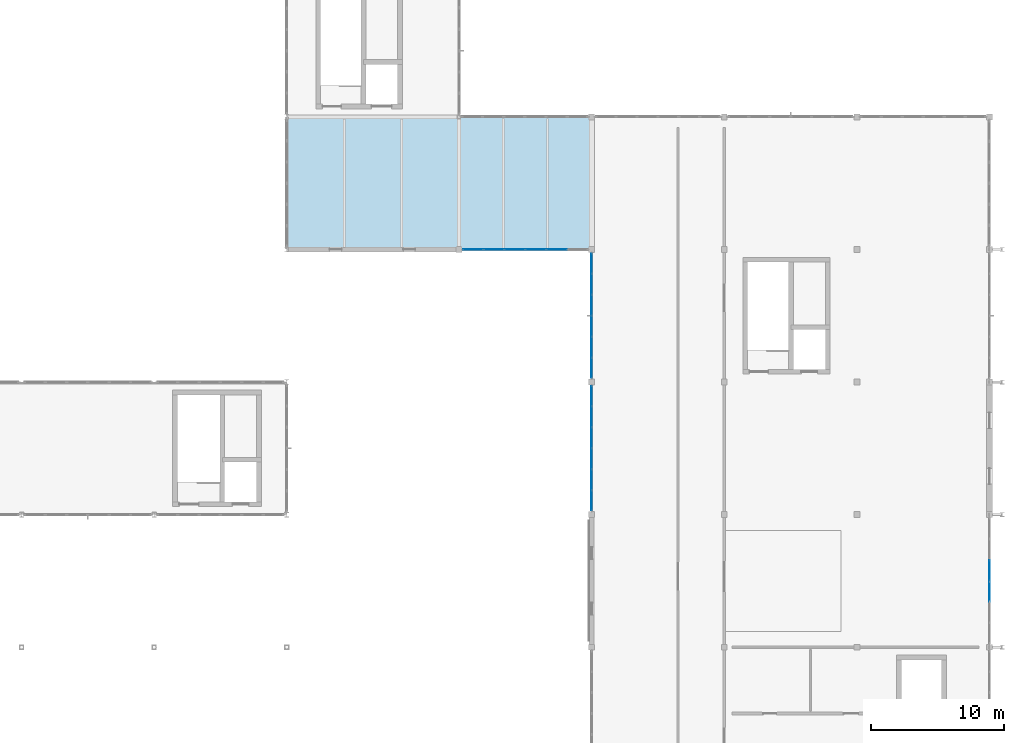
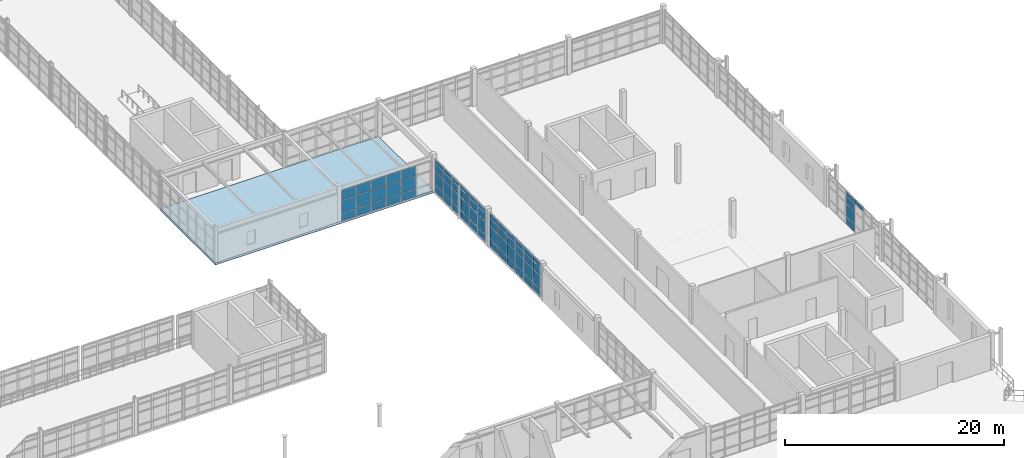
# One storey, part 91 of 122: 68 plates, 1 slab, 4 elements without a shape of their own.
"""IFC4 building model written with IfcOpenShell, lengths in metres."""

import ifcopenshell
import ifcopenshell.guid

model = None  # the IFC model being written
_history = None  # IfcOwnerHistory: only IFC2X3 demands one
_inside = {}  # id of a spatial element -> (the spatial element, [elements in it])
_under = {}  # id of a project, library or spatial element -> (it, [spatial elements below it])
_declared = {}  # id of a project -> (the project, [libraries it declares])
_typed = {}  # id of a type object -> (the type object, [elements of that type])
_made_of = {}  # id of a material, layer set ... -> (it, [elements and type objects made of it])


def new_model(schema):
    """Start an empty IFC model of exactly this schema.

    Asked for "IFC4X3", IfcOpenShell would pick the latest addendum, in which some entities
    have other attributes; the version numbers below select the first issue.
    IFC2X3 requires an IfcOwnerHistory on every rooted entity: one is made here for all.
    """
    global model, _history
    if schema == "IFC4X3":
        model = ifcopenshell.file(schema_version=(4, 3, 0, 0))
    else:
        model = ifcopenshell.file(schema=schema)
    _inside.clear()
    _under.clear()
    _declared.clear()
    _typed.clear()
    _made_of.clear()
    _history = None
    if model.schema == "IFC2X3":
        org = make("IfcOrganization", Name="unknown")
        user = make(
            "IfcPersonAndOrganization",
            ThePerson=make("IfcPerson", FamilyName="unknown"),
            TheOrganization=org,
        )
        app = make(
            "IfcApplication",
            ApplicationDeveloper=org,
            Version="unknown",
            ApplicationFullName="unknown",
            ApplicationIdentifier="unknown",
        )
        _history = make(
            "IfcOwnerHistory",
            OwningUser=user,
            OwningApplication=app,
            ChangeAction="ADDED",
            CreationDate=0,
        )
    return model


def make(cls, **values):
    """One entity of the class cls with the attributes given. An attribute that is None is left unset."""
    return model.create_entity(
        cls, **{name: value for name, value in values.items() if value is not None}
    )


def rooted(cls, **values):
    """An entity with a GlobalId (a new one), such as an element, a storey or a relation."""
    return make(cls, GlobalId=ifcopenshell.guid.new(), OwnerHistory=_history, **values)


def si_unit(unit_type, name, prefix=None):
    """IfcSIUnit, for example si_unit("LENGTHUNIT", "METRE", prefix="MILLI")."""
    return make("IfcSIUnit", UnitType=unit_type, Prefix=prefix, Name=name)


def assignment(units):
    """IfcUnitAssignment: the units of a project."""
    return None if units is None else make("IfcUnitAssignment", Units=units)


def point(xyz):
    """IfcCartesianPoint."""
    return None if xyz is None else make("IfcCartesianPoint", Coordinates=xyz)


def direction(xyz):
    """IfcDirection."""
    return None if xyz is None else make("IfcDirection", DirectionRatios=xyz)


def frame(location, z_axis=None, x_axis=None):
    """IfcAxis2Placement3D, a coordinate frame: its origin and axes. An axis left out is left unset."""
    return make(
        "IfcAxis2Placement3D",
        Location=point(location),
        Axis=direction(z_axis),
        RefDirection=direction(x_axis),
    )


def frame_2d(location, x_axis=None):
    """IfcAxis2Placement2D, a coordinate frame in the plane: its origin and x axis."""
    return make(
        "IfcAxis2Placement2D", Location=point(location), RefDirection=direction(x_axis)
    )


def origin():
    """The frame at (0, 0, 0) with its axes left unset."""
    return frame((0.0, 0.0, 0.0))


def origin_2d():
    """The frame at (0, 0) in the plane with its x axis left unset."""
    return frame_2d((0.0, 0.0))


def place(relative_to, where):
    """IfcLocalPlacement: puts the frame where relative to a parent placement (None: the world)."""
    return make(
        "IfcLocalPlacement", PlacementRelTo=relative_to, RelativePlacement=where
    )


def context(
    kind, dimensions, precision=None, world=None, true_north=None, identifier=None
):
    """IfcGeometricRepresentationContext, for example the 3D "Model" context."""
    return make(
        "IfcGeometricRepresentationContext",
        ContextIdentifier=identifier,
        ContextType=kind,
        CoordinateSpaceDimension=dimensions,
        Precision=precision,
        WorldCoordinateSystem=world,
        TrueNorth=true_north,
    )


def subcontext(parent, identifier, kind, view, scale=None):
    """IfcGeometricRepresentationSubContext, for example "Body" below "Model"."""
    return make(
        "IfcGeometricRepresentationSubContext",
        ContextIdentifier=identifier,
        ContextType=kind,
        ParentContext=parent,
        TargetScale=scale,
        TargetView=view,
    )


def project(units=None, contexts=None):
    """IfcProject with its units and contexts."""
    return rooted(
        "IfcProject",
        Name="project",
        RepresentationContexts=contexts,
        UnitsInContext=assignment(units),
    )


def spatial(cls, under=None, at=None, **own):
    """A site, building, storey or space (cls), placed at a placement, below another one or the project."""
    s = rooted(cls, ObjectPlacement=at, **own)
    if under is not None:
        _under.setdefault(under.id(), (under, []))[1].append(s)
    return s


def polyline(points):
    """IfcPolyline through the points."""
    return make("IfcPolyline", Points=[point(p) for p in points])


def profile(cls, at=None, kind="AREA", **sizes):
    """A parametric profile (cls). Its sizes go by their IFC names, for example OverallWidth=200.0."""
    return make(cls, ProfileType=kind, Position=at, **sizes)


def rectangle(**sizes):
    """IfcRectangleProfileDef."""
    return profile("IfcRectangleProfileDef", **sizes)


def outline(outer, holes=None, kind="AREA"):
    """IfcArbitraryClosedProfileDef: a profile drawn as a closed curve; with holes, ...WithVoids."""
    if holes is None:
        return make("IfcArbitraryClosedProfileDef", ProfileType=kind, OuterCurve=outer)
    return make(
        "IfcArbitraryProfileDefWithVoids",
        ProfileType=kind,
        OuterCurve=outer,
        InnerCurves=holes,
    )


def extrude(swept, where, along, depth):
    """IfcExtrudedAreaSolid: the profile swept, set in the frame where, extruded along a direction by depth."""
    return make(
        "IfcExtrudedAreaSolid",
        SweptArea=swept,
        Position=where,
        ExtrudedDirection=direction(along),
        Depth=depth,
    )


def shape(context_of_items, identifier, shape_type, items):
    """IfcShapeRepresentation: the items that make up one representation, for example the "Body"."""
    return make(
        "IfcShapeRepresentation",
        ContextOfItems=context_of_items,
        RepresentationIdentifier=identifier,
        RepresentationType=shape_type,
        Items=items,
    )


def material(Name=None, Category=None):
    """IfcMaterial."""
    return make("IfcMaterial", Name=Name, Category=Category)


def layer(
    of_material, thickness, ventilated=None, Name=None, Category=None, Priority=None
):
    """IfcMaterialLayer: one layer of a wall or slab, of a material (None: an air gap)."""
    return make(
        "IfcMaterialLayer",
        Material=of_material,
        LayerThickness=thickness,
        IsVentilated=ventilated,
        Name=Name,
        Category=Category,
        Priority=Priority,
    )


def layer_set(layers, Name=None):
    """IfcMaterialLayerSet."""
    return make("IfcMaterialLayerSet", MaterialLayers=layers, LayerSetName=Name)


def made_of(thing, what):
    """Note that an element or type object is made of a material, layer set ...; save() writes the relation."""
    if what is not None:
        _made_of.setdefault(what.id(), (what, []))[1].append(thing)
    return thing


def type_object(cls, material=None, **own):
    """A type object (cls), such as IfcWallType, which elements share."""
    return made_of(rooted(cls, **own), material)


def element(
    cls,
    number,
    at=None,
    inside=None,
    cuts=None,
    type_object=None,
    material=None,
    context=None,
    identifier="Body",
    shape_type=None,
    held_by="IfcProductDefinitionShape",
    body=None,
    shapes=None,
    **own,
):
    """One element of the class cls, such as IfcWall. Its Tag is "e" and its number.

    at: its placement. inside: the storey or other place that contains it. cuts: it is an
    opening in that element (IfcRelVoidsElement). A single representation is given by context,
    identifier, shape_type and body (its items); several are given by shapes. held_by: the class
    of the entity that holds the representations. save() writes the other relations.
    """
    e = rooted(cls, Tag="e%d" % number, ObjectPlacement=at, **own)
    if body is not None:
        shapes = [shape(context, identifier, shape_type, body)]
    if shapes is not None:
        e.Representation = make(held_by, Representations=shapes)
    if inside is not None:
        _inside.setdefault(inside.id(), (inside, []))[1].append(e)
    if cuts is not None:
        rooted(
            "IfcRelVoidsElement", RelatingBuildingElement=cuts, RelatedOpeningElement=e
        )
    if type_object is not None:
        _typed.setdefault(type_object.id(), (type_object, []))[1].append(e)
    return made_of(e, material)


def aggregate(whole, parts):
    """IfcRelAggregates: a whole, such as a stair, and the parts it consists of."""
    return rooted("IfcRelAggregates", RelatingObject=whole, RelatedObjects=parts)


def save(model, path):
    """Write the relations noted so far, then the file.

    IfcRelAggregates (storeys below a building ...), IfcRelContainedInSpatialStructure (elements
    in a storey), IfcRelDefinesByType, IfcRelAssociatesMaterial and IfcRelDeclares: one each for
    every whole, place, type object, material and project.
    """
    for whole, parts in _under.values():
        aggregate(whole, parts)
    for where, things in _inside.values():
        rooted(
            "IfcRelContainedInSpatialStructure",
            RelatedElements=things,
            RelatingStructure=where,
        )
    for kind, things in _typed.values():
        rooted("IfcRelDefinesByType", RelatedObjects=things, RelatingType=kind)
    for what, things in _made_of.values():
        rooted("IfcRelAssociatesMaterial", RelatedObjects=things, RelatingMaterial=what)
    for by, libraries in _declared.values():
        rooted("IfcRelDeclares", RelatingContext=by, RelatedDefinitions=libraries)
    model.write(path)


model = new_model("IFC4")

# Units and contexts
model_context = context("Model", 3, precision=1e-05, world=origin(), true_north=direction((0.0, 1.0)))
body_context = subcontext(model_context, "Body", "Model", "MODEL_VIEW")
ifc_project = project(units=[si_unit("LENGTHUNIT", "METRE"), si_unit("AREAUNIT", "SQUARE_METRE"), si_unit("VOLUMEUNIT", "CUBIC_METRE"), si_unit("PLANEANGLEUNIT", "RADIAN"), si_unit("MASSUNIT", "GRAM", prefix="KILO"), si_unit("THERMODYNAMICTEMPERATUREUNIT", "KELVIN"), si_unit("POWERUNIT", "WATT")], contexts=[model_context])

# Site, building, storey
site_placement = place(None, origin())
site = spatial("IfcSite", under=ifc_project, at=site_placement, CompositionType="ELEMENT")
building_placement = place(site_placement, origin())
building = spatial("IfcBuilding", under=site, at=building_placement, Name="Korenveer Ferry Terminal", CompositionType="ELEMENT")
storey_placement = place(building_placement, frame((0.0, 0.0, 10.199951171875)))
storey = spatial("IfcBuildingStorey", under=building, at=storey_placement, Name="L02", CompositionType="ELEMENT", Elevation=10.199951171875)

# Curtain wall, plates
ifc_material_1 = material(Name="Unitised bronze-and-glass curtain wall", Category="glass")
ifc_layer_1 = layer(ifc_material_1, 0.159912109375)
ifc_layer_set_1 = layer_set([ifc_layer_1], Name="Unitised bronze-and-glass curtain wall")
curtain_wall_type_1 = type_object("IfcCurtainWallType", Name="ENV-CW-89", PredefinedType="USERDEFINED", material=ifc_layer_set_1)
curtain_wall_1_placement = place(storey_placement, frame((136.2548828125, 70.0, 0.0)))
curtain_wall_1 = element("IfcCurtainWall", 1, at=curtain_wall_1_placement, inside=storey, type_object=curtain_wall_type_1, Name="Lancet curtain wall CWX-L02-X136-146-Y70-70", ObjectType="UNITISED CURTAIN WALL", PredefinedType="USERDEFINED")
ifc_material_2 = material(Name="Low-iron solar-control double glazing", Category="glass")
ifc_layer_2 = layer(ifc_material_2, 0.028076171875)
ifc_layer_set_2 = layer_set([ifc_layer_2], Name="Low-iron solar-control double glazing")
plate_type = type_object("IfcPlateType", Name="ENV-CWP-GLZ28", PredefinedType="CURTAIN_PANEL", material=ifc_layer_set_2)
plate_1_placement = place(storey_placement, frame((137.060791015625, 70.0, 0.06005859375), z_axis=(0.0, 0.0, 1.0), x_axis=(1.0, 0.0, 0.0)))
plate_1 = element("IfcPlate", 2, at=plate_1_placement, type_object=plate_type, Name="CW-89 panel 1.1", PredefinedType="CURTAIN_PANEL", context=body_context, shape_type="SweptSolid", body=[
    extrude(rectangle(XDim=1.49169921875, YDim=0.028076171875, at=origin_2d()), origin(), (0.0, 0.0, 1.0), 0.81005859375),
])
plate_2_placement = place(storey_placement, frame((137.060791015625, 70.0, 0.93017578125), z_axis=(0.0, 0.0, 1.0), x_axis=(1.0, 0.0, 0.0)))
plate_2 = element("IfcPlate", 3, at=plate_2_placement, type_object=plate_type, Name="CW-89 panel 1.2", PredefinedType="CURTAIN_PANEL", context=body_context, shape_type="SweptSolid", body=[
    extrude(rectangle(XDim=1.49169921875, YDim=0.028076171875, at=origin_2d()), origin(), (0.0, 0.0, 1.0), 1.389892578125),
])
plate_3_placement = place(storey_placement, frame((137.060791015625, 70.0, 2.380126953125), z_axis=(0.0, 0.0, 1.0), x_axis=(1.0, 0.0, 0.0)))
plate_3 = element("IfcPlate", 4, at=plate_3_placement, type_object=plate_type, Name="CW-89 panel 1.3", PredefinedType="CURTAIN_PANEL", context=body_context, shape_type="SweptSolid", body=[
    extrude(rectangle(XDim=1.49169921875, YDim=0.028076171875, at=origin_2d()), origin(), (0.0, 0.0, 1.0), 1.0400390625),
])
plate_4_placement = place(storey_placement, frame((138.62744140625, 70.0, 0.06005859375), z_axis=(0.0, 0.0, 1.0), x_axis=(1.0, 0.0, 0.0)))
plate_4 = element("IfcPlate", 5, at=plate_4_placement, type_object=plate_type, Name="CW-89 panel 2.1", PredefinedType="CURTAIN_PANEL", context=body_context, shape_type="SweptSolid", body=[
    extrude(rectangle(XDim=1.521728515625, YDim=0.028076171875, at=origin_2d()), origin(), (0.0, 0.0, 1.0), 0.81005859375),
])
plate_5_placement = place(storey_placement, frame((138.62744140625, 70.0, 0.93017578125), z_axis=(0.0, 0.0, 1.0), x_axis=(1.0, 0.0, 0.0)))
plate_5 = element("IfcPlate", 6, at=plate_5_placement, type_object=plate_type, Name="CW-89 panel 2.2", PredefinedType="CURTAIN_PANEL", context=body_context, shape_type="SweptSolid", body=[
    extrude(rectangle(XDim=1.521728515625, YDim=0.028076171875, at=origin_2d()), origin(), (0.0, 0.0, 1.0), 1.389892578125),
])
plate_6_placement = place(storey_placement, frame((138.62744140625, 70.0, 2.380126953125), z_axis=(0.0, 0.0, 1.0), x_axis=(1.0, 0.0, 0.0)))
plate_6 = element("IfcPlate", 7, at=plate_6_placement, type_object=plate_type, Name="CW-89 panel 2.3", PredefinedType="CURTAIN_PANEL", context=body_context, shape_type="SweptSolid", body=[
    extrude(rectangle(XDim=1.521728515625, YDim=0.028076171875, at=origin_2d()), origin(), (0.0, 0.0, 1.0), 1.0400390625),
])
plate_7_placement = place(storey_placement, frame((140.209228515625, 70.0, 0.06005859375), z_axis=(0.0, 0.0, 1.0), x_axis=(1.0, 0.0, 0.0)))
plate_7 = element("IfcPlate", 8, at=plate_7_placement, type_object=plate_type, Name="CW-89 panel 3.1", PredefinedType="CURTAIN_PANEL", context=body_context, shape_type="SweptSolid", body=[
    extrude(rectangle(XDim=1.521728515625, YDim=0.028076171875, at=origin_2d()), origin(), (0.0, 0.0, 1.0), 0.81005859375),
])
plate_8_placement = place(storey_placement, frame((140.209228515625, 70.0, 0.93017578125), z_axis=(0.0, 0.0, 1.0), x_axis=(1.0, 0.0, 0.0)))
plate_8 = element("IfcPlate", 9, at=plate_8_placement, type_object=plate_type, Name="CW-89 panel 3.2", PredefinedType="CURTAIN_PANEL", context=body_context, shape_type="SweptSolid", body=[
    extrude(rectangle(XDim=1.521728515625, YDim=0.028076171875, at=origin_2d()), origin(), (0.0, 0.0, 1.0), 1.389892578125),
])
plate_9_placement = place(storey_placement, frame((140.209228515625, 70.0, 2.380126953125), z_axis=(0.0, 0.0, 1.0), x_axis=(1.0, 0.0, 0.0)))
plate_9 = element("IfcPlate", 10, at=plate_9_placement, type_object=plate_type, Name="CW-89 panel 3.3", PredefinedType="CURTAIN_PANEL", context=body_context, shape_type="SweptSolid", body=[
    extrude(rectangle(XDim=1.521728515625, YDim=0.028076171875, at=origin_2d()), origin(), (0.0, 0.0, 1.0), 1.0400390625),
])
plate_10_placement = place(storey_placement, frame((141.790771484375, 70.0, 0.06005859375), z_axis=(0.0, 0.0, 1.0), x_axis=(1.0, 0.0, 0.0)))
plate_10 = element("IfcPlate", 11, at=plate_10_placement, type_object=plate_type, Name="CW-89 panel 4.1", PredefinedType="CURTAIN_PANEL", context=body_context, shape_type="SweptSolid", body=[
    extrude(rectangle(XDim=1.521728515625, YDim=0.028076171875, at=origin_2d()), origin(), (0.0, 0.0, 1.0), 0.81005859375),
])
plate_11_placement = place(storey_placement, frame((141.790771484375, 70.0, 0.93017578125), z_axis=(0.0, 0.0, 1.0), x_axis=(1.0, 0.0, 0.0)))
plate_11 = element("IfcPlate", 12, at=plate_11_placement, type_object=plate_type, Name="CW-89 panel 4.2", PredefinedType="CURTAIN_PANEL", context=body_context, shape_type="SweptSolid", body=[
    extrude(rectangle(XDim=1.521728515625, YDim=0.028076171875, at=origin_2d()), origin(), (0.0, 0.0, 1.0), 1.389892578125),
])
plate_12_placement = place(storey_placement, frame((141.790771484375, 70.0, 2.380126953125), z_axis=(0.0, 0.0, 1.0), x_axis=(1.0, 0.0, 0.0)))
plate_12 = element("IfcPlate", 13, at=plate_12_placement, type_object=plate_type, Name="CW-89 panel 4.3", PredefinedType="CURTAIN_PANEL", context=body_context, shape_type="SweptSolid", body=[
    extrude(rectangle(XDim=1.521728515625, YDim=0.028076171875, at=origin_2d()), origin(), (0.0, 0.0, 1.0), 1.0400390625),
])
plate_13_placement = place(storey_placement, frame((143.37255859375, 70.0, 0.06005859375), z_axis=(0.0, 0.0, 1.0), x_axis=(1.0, 0.0, 0.0)))
plate_13 = element("IfcPlate", 14, at=plate_13_placement, type_object=plate_type, Name="CW-89 panel 5.1", PredefinedType="CURTAIN_PANEL", context=body_context, shape_type="SweptSolid", body=[
    extrude(rectangle(XDim=1.521728515625, YDim=0.028076171875, at=origin_2d()), origin(), (0.0, 0.0, 1.0), 0.81005859375),
])
plate_14_placement = place(storey_placement, frame((143.37255859375, 70.0, 0.93017578125), z_axis=(0.0, 0.0, 1.0), x_axis=(1.0, 0.0, 0.0)))
plate_14 = element("IfcPlate", 15, at=plate_14_placement, type_object=plate_type, Name="CW-89 panel 5.2", PredefinedType="CURTAIN_PANEL", context=body_context, shape_type="SweptSolid", body=[
    extrude(rectangle(XDim=1.521728515625, YDim=0.028076171875, at=origin_2d()), origin(), (0.0, 0.0, 1.0), 1.389892578125),
])
plate_15_placement = place(storey_placement, frame((143.37255859375, 70.0, 2.380126953125), z_axis=(0.0, 0.0, 1.0), x_axis=(1.0, 0.0, 0.0)))
plate_15 = element("IfcPlate", 16, at=plate_15_placement, type_object=plate_type, Name="CW-89 panel 5.3", PredefinedType="CURTAIN_PANEL", context=body_context, shape_type="SweptSolid", body=[
    extrude(rectangle(XDim=1.521728515625, YDim=0.028076171875, at=origin_2d()), origin(), (0.0, 0.0, 1.0), 1.0400390625),
])
aggregate(curtain_wall_1, [plate_1, plate_2, plate_3, plate_4, plate_5, plate_6, plate_7, plate_8, plate_9, plate_10, plate_11, plate_12, plate_13, plate_14, plate_15])

ifc_layer_3 = layer(ifc_material_1, 0.159912109375)
ifc_layer_set_3 = layer_set([ifc_layer_3], Name="Unitised bronze-and-glass curtain wall")
curtain_wall_type_2 = type_object("IfcCurtainWallType", Name="ENV-CW-86", PredefinedType="USERDEFINED", material=ifc_layer_set_3)
curtain_wall_2_placement = place(storey_placement, frame((146.0, 50.2548828125, 0.0)))
curtain_wall_2 = element("IfcCurtainWall", 17, at=curtain_wall_2_placement, inside=storey, type_object=curtain_wall_type_2, Name="Lancet curtain wall CWX-L02-X146-146-Y50-60", ObjectType="UNITISED CURTAIN WALL", PredefinedType="USERDEFINED")
plate_16_placement = place(storey_placement, frame((146.0, 51.060791015625, 0.06005859375), z_axis=(0.0, 0.0, 1.0), x_axis=(0.0, 1.0, 0.0)))
plate_16 = element("IfcPlate", 18, at=plate_16_placement, type_object=plate_type, Name="CW-86 panel 1.1", PredefinedType="CURTAIN_PANEL", context=body_context, shape_type="SweptSolid", body=[
    extrude(rectangle(XDim=1.49169921875, YDim=0.028076171875, at=origin_2d()), origin(), (0.0, 0.0, 1.0), 0.81005859375),
])
plate_17_placement = place(storey_placement, frame((146.0, 51.060791015625, 0.93017578125), z_axis=(0.0, 0.0, 1.0), x_axis=(0.0, 1.0, 0.0)))
plate_17 = element("IfcPlate", 19, at=plate_17_placement, type_object=plate_type, Name="CW-86 panel 1.2", PredefinedType="CURTAIN_PANEL", context=body_context, shape_type="SweptSolid", body=[
    extrude(rectangle(XDim=1.49169921875, YDim=0.028076171875, at=origin_2d()), origin(), (0.0, 0.0, 1.0), 1.389892578125),
])
plate_18_placement = place(storey_placement, frame((146.0, 51.060791015625, 2.3798828125), z_axis=(0.0, 0.0, 1.0), x_axis=(0.0, 1.0, 0.0)))
plate_18 = element("IfcPlate", 20, at=plate_18_placement, type_object=plate_type, Name="CW-86 panel 1.3", PredefinedType="CURTAIN_PANEL", context=body_context, shape_type="SweptSolid", body=[
    extrude(rectangle(XDim=1.49169921875, YDim=0.028076171875, at=origin_2d()), origin(), (0.0, 0.0, 1.0), 0.840087890625),
])
plate_19_placement = place(storey_placement, frame((146.0, 51.060791015625, 3.280029296875), z_axis=(0.0, 0.0, 1.0), x_axis=(0.0, 1.0, 0.0)))
plate_19 = element("IfcPlate", 21, at=plate_19_placement, type_object=plate_type, Name="CW-86 panel 1.4", PredefinedType="CURTAIN_PANEL", context=body_context, shape_type="SweptSolid", body=[
    extrude(rectangle(XDim=1.49169921875, YDim=0.028076171875, at=origin_2d()), origin(), (0.0, 0.0, 1.0), 0.52001953125),
])
plate_20_placement = place(storey_placement, frame((146.0, 52.62744140625, 0.06005859375), z_axis=(0.0, 0.0, 1.0), x_axis=(0.0, 1.0, 0.0)))
plate_20 = element("IfcPlate", 22, at=plate_20_placement, type_object=plate_type, Name="CW-86 panel 2.1", PredefinedType="CURTAIN_PANEL", context=body_context, shape_type="SweptSolid", body=[
    extrude(rectangle(XDim=1.521728515625, YDim=0.028076171875, at=origin_2d()), origin(), (0.0, 0.0, 1.0), 0.81005859375),
])
plate_21_placement = place(storey_placement, frame((146.0, 52.62744140625, 0.93017578125), z_axis=(0.0, 0.0, 1.0), x_axis=(0.0, 1.0, 0.0)))
plate_21 = element("IfcPlate", 23, at=plate_21_placement, type_object=plate_type, Name="CW-86 panel 2.2", PredefinedType="CURTAIN_PANEL", context=body_context, shape_type="SweptSolid", body=[
    extrude(rectangle(XDim=1.521728515625, YDim=0.028076171875, at=origin_2d()), origin(), (0.0, 0.0, 1.0), 1.389892578125),
])
plate_22_placement = place(storey_placement, frame((146.0, 52.62744140625, 2.3798828125), z_axis=(0.0, 0.0, 1.0), x_axis=(0.0, 1.0, 0.0)))
plate_22 = element("IfcPlate", 24, at=plate_22_placement, type_object=plate_type, Name="CW-86 panel 2.3", PredefinedType="CURTAIN_PANEL", context=body_context, shape_type="SweptSolid", body=[
    extrude(rectangle(XDim=1.521728515625, YDim=0.028076171875, at=origin_2d()), origin(), (0.0, 0.0, 1.0), 0.840087890625),
])
plate_23_placement = place(storey_placement, frame((146.0, 52.62744140625, 3.280029296875), z_axis=(0.0, 0.0, 1.0), x_axis=(0.0, 1.0, 0.0)))
plate_23 = element("IfcPlate", 25, at=plate_23_placement, type_object=plate_type, Name="CW-86 panel 2.4", PredefinedType="CURTAIN_PANEL", context=body_context, shape_type="SweptSolid", body=[
    extrude(rectangle(XDim=1.521728515625, YDim=0.028076171875, at=origin_2d()), origin(), (0.0, 0.0, 1.0), 0.52001953125),
])
plate_24_placement = place(storey_placement, frame((146.0, 54.209228515625, 0.06005859375), z_axis=(0.0, 0.0, 1.0), x_axis=(0.0, 1.0, 0.0)))
plate_24 = element("IfcPlate", 26, at=plate_24_placement, type_object=plate_type, Name="CW-86 panel 3.1", PredefinedType="CURTAIN_PANEL", context=body_context, shape_type="SweptSolid", body=[
    extrude(rectangle(XDim=1.521728515625, YDim=0.028076171875, at=origin_2d()), origin(), (0.0, 0.0, 1.0), 0.81005859375),
])
plate_25_placement = place(storey_placement, frame((146.0, 54.209228515625, 0.93017578125), z_axis=(0.0, 0.0, 1.0), x_axis=(0.0, 1.0, 0.0)))
plate_25 = element("IfcPlate", 27, at=plate_25_placement, type_object=plate_type, Name="CW-86 panel 3.2", PredefinedType="CURTAIN_PANEL", context=body_context, shape_type="SweptSolid", body=[
    extrude(rectangle(XDim=1.521728515625, YDim=0.028076171875, at=origin_2d()), origin(), (0.0, 0.0, 1.0), 1.389892578125),
])
plate_26_placement = place(storey_placement, frame((146.0, 54.209228515625, 2.3798828125), z_axis=(0.0, 0.0, 1.0), x_axis=(0.0, 1.0, 0.0)))
plate_26 = element("IfcPlate", 28, at=plate_26_placement, type_object=plate_type, Name="CW-86 panel 3.3", PredefinedType="CURTAIN_PANEL", context=body_context, shape_type="SweptSolid", body=[
    extrude(rectangle(XDim=1.521728515625, YDim=0.028076171875, at=origin_2d()), origin(), (0.0, 0.0, 1.0), 0.840087890625),
])
plate_27_placement = place(storey_placement, frame((146.0, 54.209228515625, 3.280029296875), z_axis=(0.0, 0.0, 1.0), x_axis=(0.0, 1.0, 0.0)))
plate_27 = element("IfcPlate", 29, at=plate_27_placement, type_object=plate_type, Name="CW-86 panel 3.4", PredefinedType="CURTAIN_PANEL", context=body_context, shape_type="SweptSolid", body=[
    extrude(rectangle(XDim=1.521728515625, YDim=0.028076171875, at=origin_2d()), origin(), (0.0, 0.0, 1.0), 0.52001953125),
])
plate_28_placement = place(storey_placement, frame((146.0, 55.790771484375, 0.06005859375), z_axis=(0.0, 0.0, 1.0), x_axis=(0.0, 1.0, 0.0)))
plate_28 = element("IfcPlate", 30, at=plate_28_placement, type_object=plate_type, Name="CW-86 panel 4.1", PredefinedType="CURTAIN_PANEL", context=body_context, shape_type="SweptSolid", body=[
    extrude(rectangle(XDim=1.521728515625, YDim=0.028076171875, at=origin_2d()), origin(), (0.0, 0.0, 1.0), 0.81005859375),
])
plate_29_placement = place(storey_placement, frame((146.0, 55.790771484375, 0.93017578125), z_axis=(0.0, 0.0, 1.0), x_axis=(0.0, 1.0, 0.0)))
plate_29 = element("IfcPlate", 31, at=plate_29_placement, type_object=plate_type, Name="CW-86 panel 4.2", PredefinedType="CURTAIN_PANEL", context=body_context, shape_type="SweptSolid", body=[
    extrude(rectangle(XDim=1.521728515625, YDim=0.028076171875, at=origin_2d()), origin(), (0.0, 0.0, 1.0), 1.389892578125),
])
plate_30_placement = place(storey_placement, frame((146.0, 55.790771484375, 2.3798828125), z_axis=(0.0, 0.0, 1.0), x_axis=(0.0, 1.0, 0.0)))
plate_30 = element("IfcPlate", 32, at=plate_30_placement, type_object=plate_type, Name="CW-86 panel 4.3", PredefinedType="CURTAIN_PANEL", context=body_context, shape_type="SweptSolid", body=[
    extrude(rectangle(XDim=1.521728515625, YDim=0.028076171875, at=origin_2d()), origin(), (0.0, 0.0, 1.0), 0.840087890625),
])
plate_31_placement = place(storey_placement, frame((146.0, 55.790771484375, 3.280029296875), z_axis=(0.0, 0.0, 1.0), x_axis=(0.0, 1.0, 0.0)))
plate_31 = element("IfcPlate", 33, at=plate_31_placement, type_object=plate_type, Name="CW-86 panel 4.4", PredefinedType="CURTAIN_PANEL", context=body_context, shape_type="SweptSolid", body=[
    extrude(rectangle(XDim=1.521728515625, YDim=0.028076171875, at=origin_2d()), origin(), (0.0, 0.0, 1.0), 0.52001953125),
])
plate_32_placement = place(storey_placement, frame((146.0, 57.37255859375, 0.06005859375), z_axis=(0.0, 0.0, 1.0), x_axis=(0.0, 1.0, 0.0)))
plate_32 = element("IfcPlate", 34, at=plate_32_placement, type_object=plate_type, Name="CW-86 panel 5.1", PredefinedType="CURTAIN_PANEL", context=body_context, shape_type="SweptSolid", body=[
    extrude(rectangle(XDim=1.521728515625, YDim=0.028076171875, at=origin_2d()), origin(), (0.0, 0.0, 1.0), 0.81005859375),
])
plate_33_placement = place(storey_placement, frame((146.0, 57.37255859375, 0.93017578125), z_axis=(0.0, 0.0, 1.0), x_axis=(0.0, 1.0, 0.0)))
plate_33 = element("IfcPlate", 35, at=plate_33_placement, type_object=plate_type, Name="CW-86 panel 5.2", PredefinedType="CURTAIN_PANEL", context=body_context, shape_type="SweptSolid", body=[
    extrude(rectangle(XDim=1.521728515625, YDim=0.028076171875, at=origin_2d()), origin(), (0.0, 0.0, 1.0), 1.389892578125),
])
plate_34_placement = place(storey_placement, frame((146.0, 57.37255859375, 2.3798828125), z_axis=(0.0, 0.0, 1.0), x_axis=(0.0, 1.0, 0.0)))
plate_34 = element("IfcPlate", 36, at=plate_34_placement, type_object=plate_type, Name="CW-86 panel 5.3", PredefinedType="CURTAIN_PANEL", context=body_context, shape_type="SweptSolid", body=[
    extrude(rectangle(XDim=1.521728515625, YDim=0.028076171875, at=origin_2d()), origin(), (0.0, 0.0, 1.0), 0.840087890625),
])
plate_35_placement = place(storey_placement, frame((146.0, 57.37255859375, 3.280029296875), z_axis=(0.0, 0.0, 1.0), x_axis=(0.0, 1.0, 0.0)))
plate_35 = element("IfcPlate", 37, at=plate_35_placement, type_object=plate_type, Name="CW-86 panel 5.4", PredefinedType="CURTAIN_PANEL", context=body_context, shape_type="SweptSolid", body=[
    extrude(rectangle(XDim=1.521728515625, YDim=0.028076171875, at=origin_2d()), origin(), (0.0, 0.0, 1.0), 0.52001953125),
])
plate_36_placement = place(storey_placement, frame((146.0, 58.939208984375, 0.06005859375), z_axis=(0.0, 0.0, 1.0), x_axis=(0.0, 1.0, 0.0)))
plate_36 = element("IfcPlate", 38, at=plate_36_placement, type_object=plate_type, Name="CW-86 panel 6.1", PredefinedType="CURTAIN_PANEL", context=body_context, shape_type="SweptSolid", body=[
    extrude(rectangle(XDim=1.49169921875, YDim=0.028076171875, at=origin_2d()), origin(), (0.0, 0.0, 1.0), 0.81005859375),
])
plate_37_placement = place(storey_placement, frame((146.0, 58.939208984375, 0.93017578125), z_axis=(0.0, 0.0, 1.0), x_axis=(0.0, 1.0, 0.0)))
plate_37 = element("IfcPlate", 39, at=plate_37_placement, type_object=plate_type, Name="CW-86 panel 6.2", PredefinedType="CURTAIN_PANEL", context=body_context, shape_type="SweptSolid", body=[
    extrude(rectangle(XDim=1.49169921875, YDim=0.028076171875, at=origin_2d()), origin(), (0.0, 0.0, 1.0), 1.389892578125),
])
plate_38_placement = place(storey_placement, frame((146.0, 58.939208984375, 2.3798828125), z_axis=(0.0, 0.0, 1.0), x_axis=(0.0, 1.0, 0.0)))
plate_38 = element("IfcPlate", 40, at=plate_38_placement, type_object=plate_type, Name="CW-86 panel 6.3", PredefinedType="CURTAIN_PANEL", context=body_context, shape_type="SweptSolid", body=[
    extrude(rectangle(XDim=1.49169921875, YDim=0.028076171875, at=origin_2d()), origin(), (0.0, 0.0, 1.0), 0.840087890625),
])
plate_39_placement = place(storey_placement, frame((146.0, 58.939208984375, 3.280029296875), z_axis=(0.0, 0.0, 1.0), x_axis=(0.0, 1.0, 0.0)))
plate_39 = element("IfcPlate", 41, at=plate_39_placement, type_object=plate_type, Name="CW-86 panel 6.4", PredefinedType="CURTAIN_PANEL", context=body_context, shape_type="SweptSolid", body=[
    extrude(rectangle(XDim=1.49169921875, YDim=0.028076171875, at=origin_2d()), origin(), (0.0, 0.0, 1.0), 0.52001953125),
])
aggregate(curtain_wall_2, [plate_16, plate_17, plate_18, plate_19, plate_20, plate_21, plate_22, plate_23, plate_24, plate_25, plate_26, plate_27, plate_28, plate_29, plate_30, plate_31, plate_32, plate_33, plate_34, plate_35, plate_36, plate_37, plate_38, plate_39])

ifc_layer_4 = layer(ifc_material_1, 0.159912109375)
ifc_layer_set_4 = layer_set([ifc_layer_4], Name="Unitised bronze-and-glass curtain wall")
curtain_wall_type_3 = type_object("IfcCurtainWallType", Name="ENV-CW-87", PredefinedType="USERDEFINED", material=ifc_layer_set_4)
curtain_wall_3_placement = place(storey_placement, frame((146.0, 60.2548828125, 0.0)))
curtain_wall_3 = element("IfcCurtainWall", 42, at=curtain_wall_3_placement, inside=storey, type_object=curtain_wall_type_3, Name="Lancet curtain wall CWX-L02-X146-146-Y60-70", ObjectType="UNITISED CURTAIN WALL", PredefinedType="USERDEFINED")
plate_40_placement = place(storey_placement, frame((146.0, 61.060791015625, 0.06005859375), z_axis=(0.0, 0.0, 1.0), x_axis=(0.0, 1.0, 0.0)))
plate_40 = element("IfcPlate", 43, at=plate_40_placement, type_object=plate_type, Name="CW-87 panel 1.1", PredefinedType="CURTAIN_PANEL", context=body_context, shape_type="SweptSolid", body=[
    extrude(rectangle(XDim=1.49169921875, YDim=0.028076171875, at=origin_2d()), origin(), (0.0, 0.0, 1.0), 0.81005859375),
])
plate_41_placement = place(storey_placement, frame((146.0, 61.060791015625, 0.93017578125), z_axis=(0.0, 0.0, 1.0), x_axis=(0.0, 1.0, 0.0)))
plate_41 = element("IfcPlate", 44, at=plate_41_placement, type_object=plate_type, Name="CW-87 panel 1.2", PredefinedType="CURTAIN_PANEL", context=body_context, shape_type="SweptSolid", body=[
    extrude(rectangle(XDim=1.49169921875, YDim=0.028076171875, at=origin_2d()), origin(), (0.0, 0.0, 1.0), 1.389892578125),
])
plate_42_placement = place(storey_placement, frame((146.0, 61.060791015625, 2.3798828125), z_axis=(0.0, 0.0, 1.0), x_axis=(0.0, 1.0, 0.0)))
plate_42 = element("IfcPlate", 45, at=plate_42_placement, type_object=plate_type, Name="CW-87 panel 1.3", PredefinedType="CURTAIN_PANEL", context=body_context, shape_type="SweptSolid", body=[
    extrude(rectangle(XDim=1.49169921875, YDim=0.028076171875, at=origin_2d()), origin(), (0.0, 0.0, 1.0), 0.840087890625),
])
plate_43_placement = place(storey_placement, frame((146.0, 61.060791015625, 3.280029296875), z_axis=(0.0, 0.0, 1.0), x_axis=(0.0, 1.0, 0.0)))
plate_43 = element("IfcPlate", 46, at=plate_43_placement, type_object=plate_type, Name="CW-87 panel 1.4", PredefinedType="CURTAIN_PANEL", context=body_context, shape_type="SweptSolid", body=[
    extrude(rectangle(XDim=1.49169921875, YDim=0.028076171875, at=origin_2d()), origin(), (0.0, 0.0, 1.0), 0.419921875),
])
plate_44_placement = place(storey_placement, frame((146.0, 62.62744140625, 0.06005859375), z_axis=(0.0, 0.0, 1.0), x_axis=(0.0, 1.0, 0.0)))
plate_44 = element("IfcPlate", 47, at=plate_44_placement, type_object=plate_type, Name="CW-87 panel 2.1", PredefinedType="CURTAIN_PANEL", context=body_context, shape_type="SweptSolid", body=[
    extrude(rectangle(XDim=1.521728515625, YDim=0.028076171875, at=origin_2d()), origin(), (0.0, 0.0, 1.0), 0.81005859375),
])
plate_45_placement = place(storey_placement, frame((146.0, 62.62744140625, 0.93017578125), z_axis=(0.0, 0.0, 1.0), x_axis=(0.0, 1.0, 0.0)))
plate_45 = element("IfcPlate", 48, at=plate_45_placement, type_object=plate_type, Name="CW-87 panel 2.2", PredefinedType="CURTAIN_PANEL", context=body_context, shape_type="SweptSolid", body=[
    extrude(rectangle(XDim=1.521728515625, YDim=0.028076171875, at=origin_2d()), origin(), (0.0, 0.0, 1.0), 1.389892578125),
])
plate_46_placement = place(storey_placement, frame((146.0, 62.62744140625, 2.3798828125), z_axis=(0.0, 0.0, 1.0), x_axis=(0.0, 1.0, 0.0)))
plate_46 = element("IfcPlate", 49, at=plate_46_placement, type_object=plate_type, Name="CW-87 panel 2.3", PredefinedType="CURTAIN_PANEL", context=body_context, shape_type="SweptSolid", body=[
    extrude(rectangle(XDim=1.521728515625, YDim=0.028076171875, at=origin_2d()), origin(), (0.0, 0.0, 1.0), 0.840087890625),
])
plate_47_placement = place(storey_placement, frame((146.0, 62.62744140625, 3.280029296875), z_axis=(0.0, 0.0, 1.0), x_axis=(0.0, 1.0, 0.0)))
plate_47 = element("IfcPlate", 50, at=plate_47_placement, type_object=plate_type, Name="CW-87 panel 2.4", PredefinedType="CURTAIN_PANEL", context=body_context, shape_type="SweptSolid", body=[
    extrude(rectangle(XDim=1.521728515625, YDim=0.028076171875, at=origin_2d()), origin(), (0.0, 0.0, 1.0), 0.419921875),
])
plate_48_placement = place(storey_placement, frame((146.0, 64.209228515625, 0.06005859375), z_axis=(0.0, 0.0, 1.0), x_axis=(0.0, 1.0, 0.0)))
plate_48 = element("IfcPlate", 51, at=plate_48_placement, type_object=plate_type, Name="CW-87 panel 3.1", PredefinedType="CURTAIN_PANEL", context=body_context, shape_type="SweptSolid", body=[
    extrude(rectangle(XDim=1.521728515625, YDim=0.028076171875, at=origin_2d()), origin(), (0.0, 0.0, 1.0), 0.81005859375),
])
plate_49_placement = place(storey_placement, frame((146.0, 64.209228515625, 0.93017578125), z_axis=(0.0, 0.0, 1.0), x_axis=(0.0, 1.0, 0.0)))
plate_49 = element("IfcPlate", 52, at=plate_49_placement, type_object=plate_type, Name="CW-87 panel 3.2", PredefinedType="CURTAIN_PANEL", context=body_context, shape_type="SweptSolid", body=[
    extrude(rectangle(XDim=1.521728515625, YDim=0.028076171875, at=origin_2d()), origin(), (0.0, 0.0, 1.0), 1.389892578125),
])
plate_50_placement = place(storey_placement, frame((146.0, 64.209228515625, 2.3798828125), z_axis=(0.0, 0.0, 1.0), x_axis=(0.0, 1.0, 0.0)))
plate_50 = element("IfcPlate", 53, at=plate_50_placement, type_object=plate_type, Name="CW-87 panel 3.3", PredefinedType="CURTAIN_PANEL", context=body_context, shape_type="SweptSolid", body=[
    extrude(rectangle(XDim=1.521728515625, YDim=0.028076171875, at=origin_2d()), origin(), (0.0, 0.0, 1.0), 0.840087890625),
])
plate_51_placement = place(storey_placement, frame((146.0, 64.209228515625, 3.280029296875), z_axis=(0.0, 0.0, 1.0), x_axis=(0.0, 1.0, 0.0)))
plate_51 = element("IfcPlate", 54, at=plate_51_placement, type_object=plate_type, Name="CW-87 panel 3.4", PredefinedType="CURTAIN_PANEL", context=body_context, shape_type="SweptSolid", body=[
    extrude(rectangle(XDim=1.521728515625, YDim=0.028076171875, at=origin_2d()), origin(), (0.0, 0.0, 1.0), 0.419921875),
])
plate_52_placement = place(storey_placement, frame((146.0, 65.790771484375, 0.06005859375), z_axis=(0.0, 0.0, 1.0), x_axis=(0.0, 1.0, 0.0)))
plate_52 = element("IfcPlate", 55, at=plate_52_placement, type_object=plate_type, Name="CW-87 panel 4.1", PredefinedType="CURTAIN_PANEL", context=body_context, shape_type="SweptSolid", body=[
    extrude(rectangle(XDim=1.521728515625, YDim=0.028076171875, at=origin_2d()), origin(), (0.0, 0.0, 1.0), 0.81005859375),
])
plate_53_placement = place(storey_placement, frame((146.0, 65.790771484375, 0.93017578125), z_axis=(0.0, 0.0, 1.0), x_axis=(0.0, 1.0, 0.0)))
plate_53 = element("IfcPlate", 56, at=plate_53_placement, type_object=plate_type, Name="CW-87 panel 4.2", PredefinedType="CURTAIN_PANEL", context=body_context, shape_type="SweptSolid", body=[
    extrude(rectangle(XDim=1.521728515625, YDim=0.028076171875, at=origin_2d()), origin(), (0.0, 0.0, 1.0), 1.389892578125),
])
plate_54_placement = place(storey_placement, frame((146.0, 65.790771484375, 2.3798828125), z_axis=(0.0, 0.0, 1.0), x_axis=(0.0, 1.0, 0.0)))
plate_54 = element("IfcPlate", 57, at=plate_54_placement, type_object=plate_type, Name="CW-87 panel 4.3", PredefinedType="CURTAIN_PANEL", context=body_context, shape_type="SweptSolid", body=[
    extrude(rectangle(XDim=1.521728515625, YDim=0.028076171875, at=origin_2d()), origin(), (0.0, 0.0, 1.0), 0.840087890625),
])
plate_55_placement = place(storey_placement, frame((146.0, 65.790771484375, 3.280029296875), z_axis=(0.0, 0.0, 1.0), x_axis=(0.0, 1.0, 0.0)))
plate_55 = element("IfcPlate", 58, at=plate_55_placement, type_object=plate_type, Name="CW-87 panel 4.4", PredefinedType="CURTAIN_PANEL", context=body_context, shape_type="SweptSolid", body=[
    extrude(rectangle(XDim=1.521728515625, YDim=0.028076171875, at=origin_2d()), origin(), (0.0, 0.0, 1.0), 0.419921875),
])
plate_56_placement = place(storey_placement, frame((146.0, 67.37255859375, 0.06005859375), z_axis=(0.0, 0.0, 1.0), x_axis=(0.0, 1.0, 0.0)))
plate_56 = element("IfcPlate", 59, at=plate_56_placement, type_object=plate_type, Name="CW-87 panel 5.1", PredefinedType="CURTAIN_PANEL", context=body_context, shape_type="SweptSolid", body=[
    extrude(rectangle(XDim=1.521728515625, YDim=0.028076171875, at=origin_2d()), origin(), (0.0, 0.0, 1.0), 0.81005859375),
])
plate_57_placement = place(storey_placement, frame((146.0, 67.37255859375, 0.93017578125), z_axis=(0.0, 0.0, 1.0), x_axis=(0.0, 1.0, 0.0)))
plate_57 = element("IfcPlate", 60, at=plate_57_placement, type_object=plate_type, Name="CW-87 panel 5.2", PredefinedType="CURTAIN_PANEL", context=body_context, shape_type="SweptSolid", body=[
    extrude(rectangle(XDim=1.521728515625, YDim=0.028076171875, at=origin_2d()), origin(), (0.0, 0.0, 1.0), 1.389892578125),
])
plate_58_placement = place(storey_placement, frame((146.0, 67.37255859375, 2.3798828125), z_axis=(0.0, 0.0, 1.0), x_axis=(0.0, 1.0, 0.0)))
plate_58 = element("IfcPlate", 61, at=plate_58_placement, type_object=plate_type, Name="CW-87 panel 5.3", PredefinedType="CURTAIN_PANEL", context=body_context, shape_type="SweptSolid", body=[
    extrude(rectangle(XDim=1.521728515625, YDim=0.028076171875, at=origin_2d()), origin(), (0.0, 0.0, 1.0), 0.840087890625),
])
plate_59_placement = place(storey_placement, frame((146.0, 67.37255859375, 3.280029296875), z_axis=(0.0, 0.0, 1.0), x_axis=(0.0, 1.0, 0.0)))
plate_59 = element("IfcPlate", 62, at=plate_59_placement, type_object=plate_type, Name="CW-87 panel 5.4", PredefinedType="CURTAIN_PANEL", context=body_context, shape_type="SweptSolid", body=[
    extrude(rectangle(XDim=1.521728515625, YDim=0.028076171875, at=origin_2d()), origin(), (0.0, 0.0, 1.0), 0.419921875),
])
plate_60_placement = place(storey_placement, frame((146.0, 68.939208984375, 0.06005859375), z_axis=(0.0, 0.0, 1.0), x_axis=(0.0, 1.0, 0.0)))
plate_60 = element("IfcPlate", 63, at=plate_60_placement, type_object=plate_type, Name="CW-87 panel 6.1", PredefinedType="CURTAIN_PANEL", context=body_context, shape_type="SweptSolid", body=[
    extrude(rectangle(XDim=1.49169921875, YDim=0.028076171875, at=origin_2d()), origin(), (0.0, 0.0, 1.0), 0.81005859375),
])
plate_61_placement = place(storey_placement, frame((146.0, 68.939208984375, 0.93017578125), z_axis=(0.0, 0.0, 1.0), x_axis=(0.0, 1.0, 0.0)))
plate_61 = element("IfcPlate", 64, at=plate_61_placement, type_object=plate_type, Name="CW-87 panel 6.2", PredefinedType="CURTAIN_PANEL", context=body_context, shape_type="SweptSolid", body=[
    extrude(rectangle(XDim=1.49169921875, YDim=0.028076171875, at=origin_2d()), origin(), (0.0, 0.0, 1.0), 1.389892578125),
])
plate_62_placement = place(storey_placement, frame((146.0, 68.939208984375, 2.3798828125), z_axis=(0.0, 0.0, 1.0), x_axis=(0.0, 1.0, 0.0)))
plate_62 = element("IfcPlate", 65, at=plate_62_placement, type_object=plate_type, Name="CW-87 panel 6.3", PredefinedType="CURTAIN_PANEL", context=body_context, shape_type="SweptSolid", body=[
    extrude(rectangle(XDim=1.49169921875, YDim=0.028076171875, at=origin_2d()), origin(), (0.0, 0.0, 1.0), 0.840087890625),
])
plate_63_placement = place(storey_placement, frame((146.0, 68.939208984375, 3.280029296875), z_axis=(0.0, 0.0, 1.0), x_axis=(0.0, 1.0, 0.0)))
plate_63 = element("IfcPlate", 66, at=plate_63_placement, type_object=plate_type, Name="CW-87 panel 6.4", PredefinedType="CURTAIN_PANEL", context=body_context, shape_type="SweptSolid", body=[
    extrude(rectangle(XDim=1.49169921875, YDim=0.028076171875, at=origin_2d()), origin(), (0.0, 0.0, 1.0), 0.419921875),
])
aggregate(curtain_wall_3, [plate_40, plate_41, plate_42, plate_43, plate_44, plate_45, plate_46, plate_47, plate_48, plate_49, plate_50, plate_51, plate_52, plate_53, plate_54, plate_55, plate_56, plate_57, plate_58, plate_59, plate_60, plate_61, plate_62, plate_63])

curtain_wall_4_placement = place(storey_placement, frame((176.0, 49.7451171875, 0.0)))
curtain_wall_4 = element("IfcCurtainWall", 67, at=curtain_wall_4_placement, inside=storey, type_object=curtain_wall_type_3, Name="Lancet curtain wall CWX-L02-X176-176-Y40-50", ObjectType="UNITISED CURTAIN WALL", PredefinedType="USERDEFINED")
plate_64_placement = place(storey_placement, frame((176.0, 45.790771484375, 0.06005859375), z_axis=(0.0, 0.0, 1.0), x_axis=(0.0, -1.0, 0.0)))
plate_64 = element("IfcPlate", 68, at=plate_64_placement, type_object=plate_type, Name="CW-87 panel 3.1", PredefinedType="CURTAIN_PANEL", context=body_context, shape_type="SweptSolid", body=[
    extrude(rectangle(XDim=1.521728515625, YDim=0.028076171875, at=origin_2d()), origin(), (0.0, 0.0, 1.0), 0.81005859375),
])
plate_65_placement = place(storey_placement, frame((176.0, 45.790771484375, 0.93017578125), z_axis=(0.0, 0.0, 1.0), x_axis=(0.0, -1.0, 0.0)))
plate_65 = element("IfcPlate", 69, at=plate_65_placement, type_object=plate_type, Name="CW-87 panel 3.2", PredefinedType="CURTAIN_PANEL", context=body_context, shape_type="SweptSolid", body=[
    extrude(rectangle(XDim=1.521728515625, YDim=0.028076171875, at=origin_2d()), origin(), (0.0, 0.0, 1.0), 1.389892578125),
])
plate_66_placement = place(storey_placement, frame((176.0, 45.790771484375, 2.3798828125), z_axis=(0.0, 0.0, 1.0), x_axis=(0.0, -1.0, 0.0)))
plate_66 = element("IfcPlate", 70, at=plate_66_placement, type_object=plate_type, Name="CW-87 panel 3.3", PredefinedType="CURTAIN_PANEL", context=body_context, shape_type="SweptSolid", body=[
    extrude(rectangle(XDim=1.521728515625, YDim=0.028076171875, at=origin_2d()), origin(), (0.0, 0.0, 1.0), 0.840087890625),
])
plate_67_placement = place(storey_placement, frame((176.0, 45.790771484375, 3.280029296875), z_axis=(0.0, 0.0, 1.0), x_axis=(0.0, -1.0, 0.0)))
plate_67 = element("IfcPlate", 71, at=plate_67_placement, type_object=plate_type, Name="CW-87 panel 3.4", PredefinedType="CURTAIN_PANEL", context=body_context, shape_type="SweptSolid", body=[
    extrude(rectangle(XDim=1.521728515625, YDim=0.028076171875, at=origin_2d()), origin(), (0.0, 0.0, 1.0), 0.419921875),
])
plate_68_placement = place(storey_placement, frame((176.0, 44.209228515625, 3.280029296875), z_axis=(0.0, 0.0, 1.0), x_axis=(0.0, -1.0, 0.0)))
plate_68 = element("IfcPlate", 72, at=plate_68_placement, type_object=plate_type, Name="CW-87 panel 4.4", PredefinedType="CURTAIN_PANEL", context=body_context, shape_type="SweptSolid", body=[
    extrude(rectangle(XDim=1.521728515625, YDim=0.028076171875, at=origin_2d()), origin(), (0.0, 0.0, 1.0), 0.419921875),
])
aggregate(curtain_wall_4, [plate_64, plate_65, plate_66, plate_67, plate_68])

# Slab
ifc_material_3 = material(Name="Concrete C35/45", Category="concrete")
ifc_layer_5 = layer(ifc_material_3, 0.25)
ifc_layer_set_5 = layer_set([ifc_layer_5], Name="Concrete C35/45")
slab_type = type_object("IfcSlabType", Name="STR-SL-FLR250", PredefinedType="FLOOR", material=ifc_layer_set_5)
slab_placement = place(storey_placement, frame((0.0, 0.0, -0.25)))
element("IfcSlab", 73, at=slab_placement, inside=storey, type_object=slab_type, Name="Floor slab SL-L02-PE1", PredefinedType="FLOOR", context=body_context, shape_type="SweptSolid", body=[
    extrude(outline(polyline([(123.0, 70.0), (146.0, 70.0), (146.0, 80.0), (123.0, 80.0), (123.0, 70.0)])), origin(), (0.0, 0.0, 1.0), 0.25),
])

save(model, "model.ifc")
